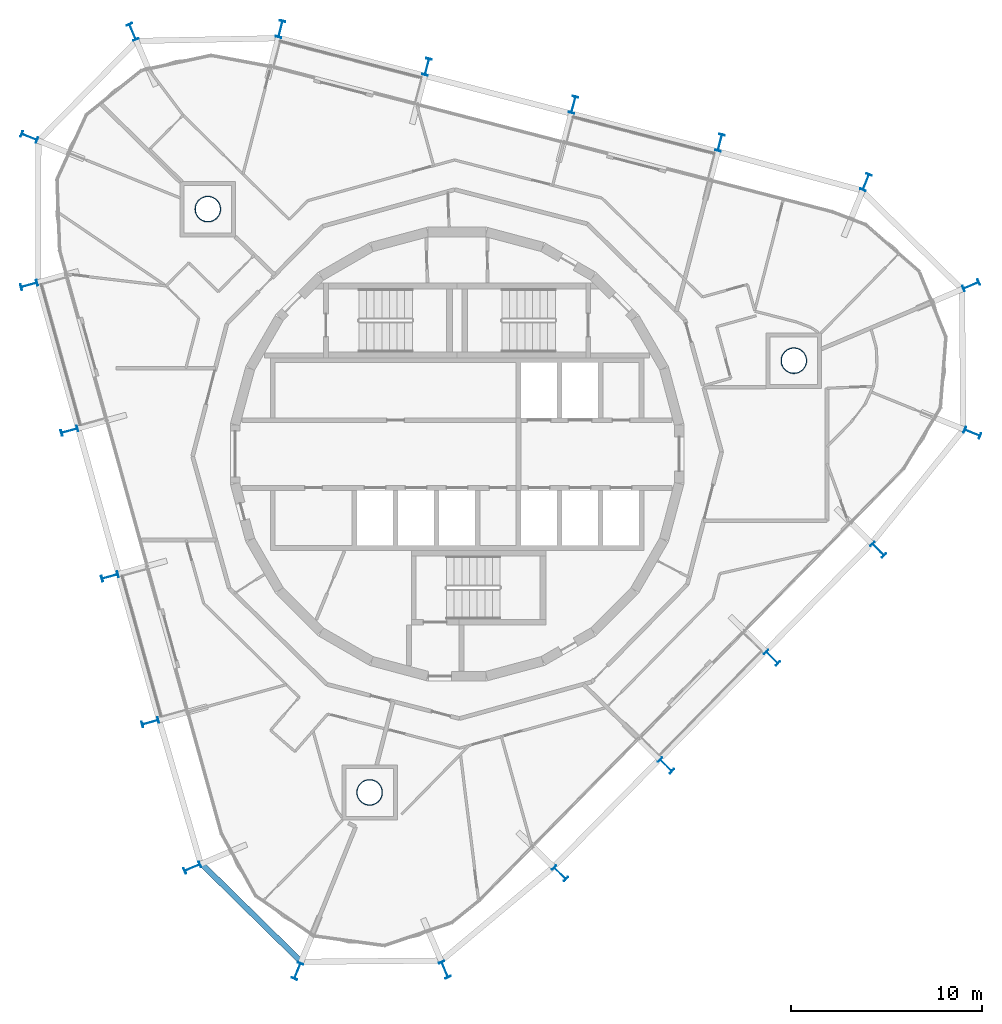
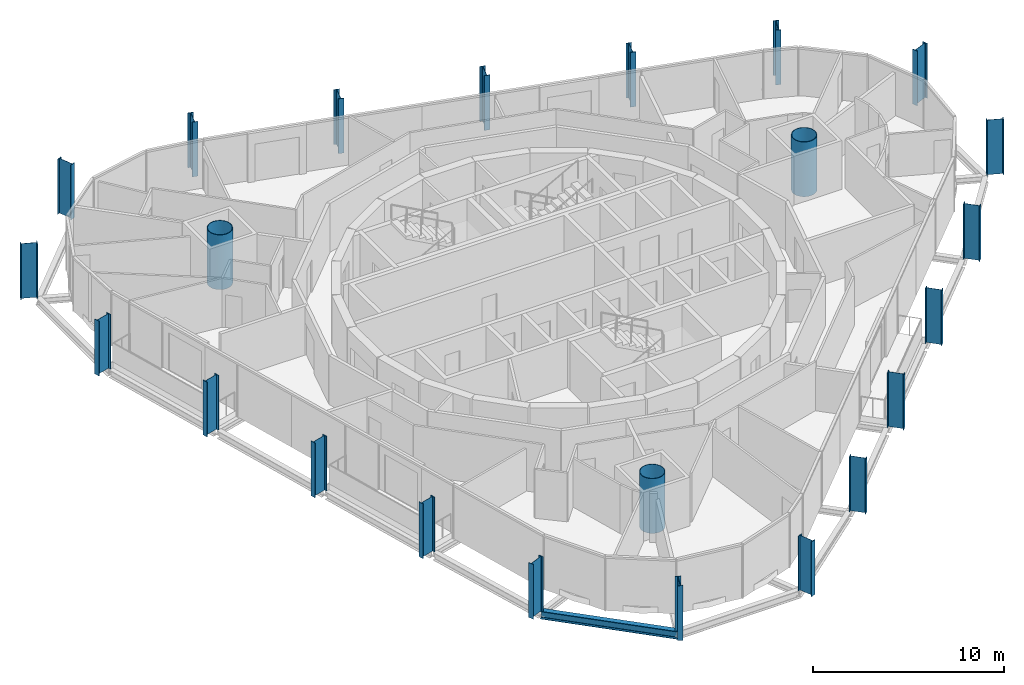
# One storey, part 1 of 15: 23 columns, 1 beam.
"""IFC4 building model written with IfcOpenShell, lengths in metres."""

import ifcopenshell
import ifcopenshell.guid

model = None  # the IFC model being written
_history = None  # IfcOwnerHistory: only IFC2X3 demands one
_inside = {}  # id of a spatial element -> (the spatial element, [elements in it])
_under = {}  # id of a project, library or spatial element -> (it, [spatial elements below it])
_declared = {}  # id of a project -> (the project, [libraries it declares])
_typed = {}  # id of a type object -> (the type object, [elements of that type])
_made_of = {}  # id of a material, layer set ... -> (it, [elements and type objects made of it])


def new_model(schema):
    """Start an empty IFC model of exactly this schema.

    Asked for "IFC4X3", IfcOpenShell would pick the latest addendum, in which some entities
    have other attributes; the version numbers below select the first issue.
    IFC2X3 requires an IfcOwnerHistory on every rooted entity: one is made here for all.
    """
    global model, _history
    if schema == "IFC4X3":
        model = ifcopenshell.file(schema_version=(4, 3, 0, 0))
    else:
        model = ifcopenshell.file(schema=schema)
    _inside.clear()
    _under.clear()
    _declared.clear()
    _typed.clear()
    _made_of.clear()
    _history = None
    if model.schema == "IFC2X3":
        org = make("IfcOrganization", Name="unknown")
        user = make(
            "IfcPersonAndOrganization",
            ThePerson=make("IfcPerson", FamilyName="unknown"),
            TheOrganization=org,
        )
        app = make(
            "IfcApplication",
            ApplicationDeveloper=org,
            Version="unknown",
            ApplicationFullName="unknown",
            ApplicationIdentifier="unknown",
        )
        _history = make(
            "IfcOwnerHistory",
            OwningUser=user,
            OwningApplication=app,
            ChangeAction="ADDED",
            CreationDate=0,
        )
    return model


def make(cls, **values):
    """One entity of the class cls with the attributes given. An attribute that is None is left unset."""
    return model.create_entity(
        cls, **{name: value for name, value in values.items() if value is not None}
    )


def rooted(cls, **values):
    """An entity with a GlobalId (a new one), such as an element, a storey or a relation."""
    return make(cls, GlobalId=ifcopenshell.guid.new(), OwnerHistory=_history, **values)


def si_unit(unit_type, name, prefix=None):
    """IfcSIUnit, for example si_unit("LENGTHUNIT", "METRE", prefix="MILLI")."""
    return make("IfcSIUnit", UnitType=unit_type, Prefix=prefix, Name=name)


def assignment(units):
    """IfcUnitAssignment: the units of a project."""
    return None if units is None else make("IfcUnitAssignment", Units=units)


def point(xyz):
    """IfcCartesianPoint."""
    return None if xyz is None else make("IfcCartesianPoint", Coordinates=xyz)


def direction(xyz):
    """IfcDirection."""
    return None if xyz is None else make("IfcDirection", DirectionRatios=xyz)


def frame(location, z_axis=None, x_axis=None):
    """IfcAxis2Placement3D, a coordinate frame: its origin and axes. An axis left out is left unset."""
    return make(
        "IfcAxis2Placement3D",
        Location=point(location),
        Axis=direction(z_axis),
        RefDirection=direction(x_axis),
    )


def frame_2d(location, x_axis=None):
    """IfcAxis2Placement2D, a coordinate frame in the plane: its origin and x axis."""
    return make(
        "IfcAxis2Placement2D", Location=point(location), RefDirection=direction(x_axis)
    )


def origin():
    """The frame at (0, 0, 0) with its axes left unset."""
    return frame((0.0, 0.0, 0.0))


def origin_2d():
    """The frame at (0, 0) in the plane with its x axis left unset."""
    return frame_2d((0.0, 0.0))


def place(relative_to, where):
    """IfcLocalPlacement: puts the frame where relative to a parent placement (None: the world)."""
    return make(
        "IfcLocalPlacement", PlacementRelTo=relative_to, RelativePlacement=where
    )


def context(
    kind, dimensions, precision=None, world=None, true_north=None, identifier=None
):
    """IfcGeometricRepresentationContext, for example the 3D "Model" context."""
    return make(
        "IfcGeometricRepresentationContext",
        ContextIdentifier=identifier,
        ContextType=kind,
        CoordinateSpaceDimension=dimensions,
        Precision=precision,
        WorldCoordinateSystem=world,
        TrueNorth=true_north,
    )


def subcontext(parent, identifier, kind, view, scale=None):
    """IfcGeometricRepresentationSubContext, for example "Body" below "Model"."""
    return make(
        "IfcGeometricRepresentationSubContext",
        ContextIdentifier=identifier,
        ContextType=kind,
        ParentContext=parent,
        TargetScale=scale,
        TargetView=view,
    )


def project(units=None, contexts=None):
    """IfcProject with its units and contexts."""
    return rooted(
        "IfcProject",
        Name="project",
        RepresentationContexts=contexts,
        UnitsInContext=assignment(units),
    )


def spatial(cls, under=None, at=None, **own):
    """A site, building, storey or space (cls), placed at a placement, below another one or the project."""
    s = rooted(cls, ObjectPlacement=at, **own)
    if under is not None:
        _under.setdefault(under.id(), (under, []))[1].append(s)
    return s


def profile(cls, at=None, kind="AREA", **sizes):
    """A parametric profile (cls). Its sizes go by their IFC names, for example OverallWidth=200.0."""
    return make(cls, ProfileType=kind, Position=at, **sizes)


def hollow_circle(**sizes):
    """IfcCircleHollowProfileDef."""
    return profile("IfcCircleHollowProfileDef", **sizes)


def i_section(**sizes):
    """IfcIShapeProfileDef."""
    return profile("IfcIShapeProfileDef", **sizes)


def extrude(swept, where, along, depth):
    """IfcExtrudedAreaSolid: the profile swept, set in the frame where, extruded along a direction by depth."""
    return make(
        "IfcExtrudedAreaSolid",
        SweptArea=swept,
        Position=where,
        ExtrudedDirection=direction(along),
        Depth=depth,
    )


def shape(context_of_items, identifier, shape_type, items):
    """IfcShapeRepresentation: the items that make up one representation, for example the "Body"."""
    return make(
        "IfcShapeRepresentation",
        ContextOfItems=context_of_items,
        RepresentationIdentifier=identifier,
        RepresentationType=shape_type,
        Items=items,
    )


def material(Name=None, Category=None):
    """IfcMaterial."""
    return make("IfcMaterial", Name=Name, Category=Category)


def material_profile(
    of_material, cross_section, Name=None, Category=None, Priority=None
):
    """IfcMaterialProfile: a cross section and its material."""
    return make(
        "IfcMaterialProfile",
        Name=Name,
        Material=of_material,
        Profile=cross_section,
        Priority=Priority,
        Category=Category,
    )


def profile_set(profiles, Name=None, composite=None):
    """IfcMaterialProfileSet."""
    return make(
        "IfcMaterialProfileSet",
        Name=Name,
        MaterialProfiles=profiles,
        CompositeProfile=composite,
    )


def made_of(thing, what):
    """Note that an element or type object is made of a material, layer set ...; save() writes the relation."""
    if what is not None:
        _made_of.setdefault(what.id(), (what, []))[1].append(thing)
    return thing


def type_object(cls, material=None, **own):
    """A type object (cls), such as IfcWallType, which elements share."""
    return made_of(rooted(cls, **own), material)


def element(
    cls,
    number,
    at=None,
    inside=None,
    cuts=None,
    type_object=None,
    material=None,
    context=None,
    identifier="Body",
    shape_type=None,
    held_by="IfcProductDefinitionShape",
    body=None,
    shapes=None,
    **own,
):
    """One element of the class cls, such as IfcWall. Its Tag is "e" and its number.

    at: its placement. inside: the storey or other place that contains it. cuts: it is an
    opening in that element (IfcRelVoidsElement). A single representation is given by context,
    identifier, shape_type and body (its items); several are given by shapes. held_by: the class
    of the entity that holds the representations. save() writes the other relations.
    """
    e = rooted(cls, Tag="e%d" % number, ObjectPlacement=at, **own)
    if body is not None:
        shapes = [shape(context, identifier, shape_type, body)]
    if shapes is not None:
        e.Representation = make(held_by, Representations=shapes)
    if inside is not None:
        _inside.setdefault(inside.id(), (inside, []))[1].append(e)
    if cuts is not None:
        rooted(
            "IfcRelVoidsElement", RelatingBuildingElement=cuts, RelatedOpeningElement=e
        )
    if type_object is not None:
        _typed.setdefault(type_object.id(), (type_object, []))[1].append(e)
    return made_of(e, material)


def aggregate(whole, parts):
    """IfcRelAggregates: a whole, such as a stair, and the parts it consists of."""
    return rooted("IfcRelAggregates", RelatingObject=whole, RelatedObjects=parts)


def save(model, path):
    """Write the relations noted so far, then the file.

    IfcRelAggregates (storeys below a building ...), IfcRelContainedInSpatialStructure (elements
    in a storey), IfcRelDefinesByType, IfcRelAssociatesMaterial and IfcRelDeclares: one each for
    every whole, place, type object, material and project.
    """
    for whole, parts in _under.values():
        aggregate(whole, parts)
    for where, things in _inside.values():
        rooted(
            "IfcRelContainedInSpatialStructure",
            RelatedElements=things,
            RelatingStructure=where,
        )
    for kind, things in _typed.values():
        rooted("IfcRelDefinesByType", RelatedObjects=things, RelatingType=kind)
    for what, things in _made_of.values():
        rooted("IfcRelAssociatesMaterial", RelatedObjects=things, RelatingMaterial=what)
    for by, libraries in _declared.values():
        rooted("IfcRelDeclares", RelatingContext=by, RelatedDefinitions=libraries)
    model.write(path)


model = new_model("IFC4")

# Units and contexts
model_context = context("Model", 3, precision=1e-05, world=origin(), true_north=direction((0.0, 1.0)))
body_context = subcontext(model_context, "Body", "Model", "MODEL_VIEW")
ifc_project = project(units=[si_unit("LENGTHUNIT", "METRE"), si_unit("AREAUNIT", "SQUARE_METRE"), si_unit("VOLUMEUNIT", "CUBIC_METRE"), si_unit("PLANEANGLEUNIT", "RADIAN"), si_unit("MASSUNIT", "GRAM", prefix="KILO")], contexts=[model_context])

# Site, building, storey
site_placement = place(None, origin())
site = spatial("IfcSite", under=ifc_project, at=site_placement, CompositionType="ELEMENT")
building_placement = place(site_placement, origin())
building = spatial("IfcBuilding", under=site, at=building_placement, Name="Spindle Arch Residences", CompositionType="ELEMENT")
storey_placement = place(building_placement, frame((0.0, 0.0, 315.699951171875)))
storey = spatial("IfcBuildingStorey", under=building, at=storey_placement, Name="L81", CompositionType="ELEMENT", Elevation=315.699951171875)

# Columns
ifc_material_1 = material(Name="Steel S460ML, intumescent coating R 240", Category="steel")
ifc_material_profile_1 = material_profile(ifc_material_1, i_section(OverallWidth=0.300048828125, OverallDepth=0.89990234375, WebThickness=0.0185546875, FlangeThickness=0.034912109375, FilletRadius=0.030029296875, at=origin_2d()), Name="HEB 900")
ifc_profile_set_1 = profile_set([ifc_material_profile_1], Name="Steel S460ML, intumescent coating R 240")
column_type_1 = type_object("IfcColumnType", Name="Exoskeleton post HEB 900", PredefinedType="COLUMN", material=ifc_profile_set_1)
for number, where, z_axis, x_axis, name in (
    (1, (16.521484375, -10.6728515625, -0.3798828125), (0.0, 0.0, 1.0), (-0.70090935439, -0.713250360623, 0.0), "Exoskeleton post 1"),
    (2, (22.083251953125, -5.01318359375, -0.3798828125), (0.0, 0.0, 1.0), (-0.70090935439, -0.713250360623, 0.0), "Exoskeleton post 2"),
    (3, (27.0263671875, 1.11279296875, -0.3798828125), (0.0, 0.0, 1.0), (-0.374802818249, -0.927104550433, 0.0), "Exoskeleton post 3"),
    (4, (26.959716796875, 8.84521484375, -0.3798828125), (0.0, 0.0, 1.0), (0.390770126794, -0.920488298679, 0.0), "Exoskeleton post 4"),
    (5, (21.443359375, 14.263916015625, -0.3798828125), (0.0, 0.0, 1.0), (0.927294785217, -0.374331913293, 0.0), "Exoskeleton post 5"),
    (6, (13.7861328125, 16.3330078125, -0.3798828125), (0.0, 0.0, 1.0), (0.968147663906, -0.250379913079, 0.0), "Exoskeleton post 6"),
    (7, (6.10400390625, 18.31982421875, -0.3798828125), (0.0, 0.0, 1.0), (0.968147663906, -0.250379913079, 0.0), "Exoskeleton post 7"),
    (8, (-1.57861328125, 20.306640625, -0.3798828125), (0.0, 0.0, 1.0), (0.968147663906, -0.250379913079, 0.0), "Exoskeleton post 8"),
    (9, (-9.2607421875, 22.29345703125, -0.3798828125), (0.0, 0.0, 1.0), (0.968147663906, -0.250379913079, 0.0), "Exoskeleton post 9"),
    (10, (-17.0185546875, 22.144775390625, -0.3798828125), (0.0, 0.0, 1.0), (0.920554476886, 0.39061420236, 0.0), "Exoskeleton post 10"),
    (11, (-22.4384765625, 16.62939453125, -0.3798828125), (0.0, 0.0, 1.0), (0.374489123858, 0.927231306693, 0.0), "Exoskeleton post 11"),
    (12, (-22.45166015625, 8.870361328125, -0.3798828125), (0.0, 0.0, 1.0), (-0.267238143562, 0.963630517691, 0.0), "Exoskeleton post 12"),
    (13, (-20.3310546875, 1.223876953125, -0.3798828125), (0.0, 0.0, 1.0), (-0.267238143562, 0.963630517691, 0.0), "Exoskeleton post 13"),
    (14, (-18.210693359375, -6.422607421875, -0.3798828125), (0.0, 0.0, 1.0), (-0.267238143562, 0.963630517691, 0.0), "Exoskeleton post 14"),
    (15, (-16.090087890625, -14.069091796875, -0.3798828125), (0.0, 0.0, 1.0), (-0.267238143562, 0.963630517691, 0.0), "Exoskeleton post 15"),
    (16, (-13.887451171875, -21.68896484375, -0.3798828125), (0.0, 0.0, 1.0), (-0.390457907184, 0.920620781167, 0.0), "Exoskeleton post 16"),
    (17, (-8.373291015625, -27.10986328125, -0.3798828125), (0.0, 0.0, 1.0), (-0.9271679418, 0.374645976487, 0.0), "Exoskeleton post 17"),
    (18, (-0.640869140625, -27.041748046875, -0.3798828125), (0.0, 0.0, 1.0), (-0.920422094083, -0.390926039967, 0.0), "Exoskeleton post 18"),
    (19, (5.397705078125, -21.9921875, -0.3798828125), (0.0, 0.0, 1.0), (-0.70090935439, -0.713250360623, 0.0), "Exoskeleton post 19"),
    (20, (10.959716796875, -16.33251953125, -0.3798828125), (0.0, 0.0, 1.0), (-0.70090935439, -0.713250360623, 0.0), "Exoskeleton post 20"),
):
    element("IfcColumn", number, at=place(storey_placement, frame(where, z_axis=z_axis, x_axis=x_axis)), inside=storey, type_object=column_type_1, Name=name, PredefinedType="COLUMN", context=body_context, shape_type="SweptSolid", body=[
        extrude(i_section(OverallWidth=0.300048828125, OverallDepth=0.89990234375, WebThickness=0.0185546875, FlangeThickness=0.034912109375, FilletRadius=0.030029296875, at=origin_2d()), origin(), (0.0, 0.0, 1.0), 3.5),
    ])
ifc_material_2 = material(Name="Concrete C50/60 filled steel tube S460ML, intumescent coating R 240", Category="concrete")
ifc_material_profile_2 = material_profile(ifc_material_2, hollow_circle(Radius=0.675048828125, WallThickness=0.030029296875, at=origin_2d()), Name="CFT D1350x30")
ifc_profile_set_2 = profile_set([ifc_material_profile_2], Name="Concrete C50/60 filled steel tube S460ML, intumescent coating R 240")
column_type_2 = type_object("IfcColumnType", Name="Mega-column CFT D1350x30", PredefinedType="COLUMN", material=ifc_profile_set_2)
for number, where, z_axis, x_axis, name in (
    (21, (17.66259765625, 4.898193359375, -0.3798828125), (0.0, 0.0, 1.0), (1.0, 0.0, 0.0), "Mega-column 1"),
    (22, (-13.0732421875, 12.84716796875, -0.3798828125), (0.0, 0.0, 1.0), (1.0, 0.0, 0.0), "Mega-column 2"),
    (23, (-4.58935546875, -17.745361328125, -0.3798828125), (0.0, 0.0, 1.0), (1.0, 0.0, 0.0), "Mega-column 3"),
):
    element("IfcColumn", number, at=place(storey_placement, frame(where, z_axis=z_axis, x_axis=x_axis)), inside=storey, type_object=column_type_2, Name=name, PredefinedType="COLUMN", context=body_context, shape_type="SweptSolid", body=[
        extrude(hollow_circle(Radius=0.675048828125, WallThickness=0.030029296875, at=origin_2d()), origin(), (0.0, 0.0, 1.0), 3.5),
    ])

# Beam
ifc_material_3 = material(Name="Steel S460ML, intumescent coating R 120", Category="steel")
ifc_material_profile_3 = material_profile(ifc_material_3, i_section(OverallWidth=0.300048828125, OverallDepth=0.5, WebThickness=0.014404296875, FlangeThickness=0.028076171875, FilletRadius=0.027099609375, at=origin_2d()), Name="HEB 500")
ifc_profile_set_3 = profile_set([ifc_material_profile_3], Name="Steel S460ML, intumescent coating R 120")
beam_type = type_object("IfcBeamType", Name="Exoskeleton edge beam HEB 500", PredefinedType="BEAM", material=ifc_profile_set_3)
beam_placement = place(storey_placement, frame((-13.458251953125, -21.437744140625, -0.6298828125), z_axis=(0.713108879245, -0.701053297789, 0.0), x_axis=(0.701053297789, 0.713108879245, 0.0)))
element("IfcBeam", 24, at=beam_placement, inside=storey, type_object=beam_type, Name="Exoskeleton edge beam 16", PredefinedType="BEAM", context=body_context, shape_type="SweptSolid", body=[
    extrude(i_section(OverallWidth=0.300048828125, OverallDepth=0.5, WebThickness=0.014404296875, FlangeThickness=0.028076171875, FilletRadius=0.027099609375, at=origin_2d()), origin(), (0.0, 0.0, 1.0), 7.47265625),
])

save(model, "model.ifc")
